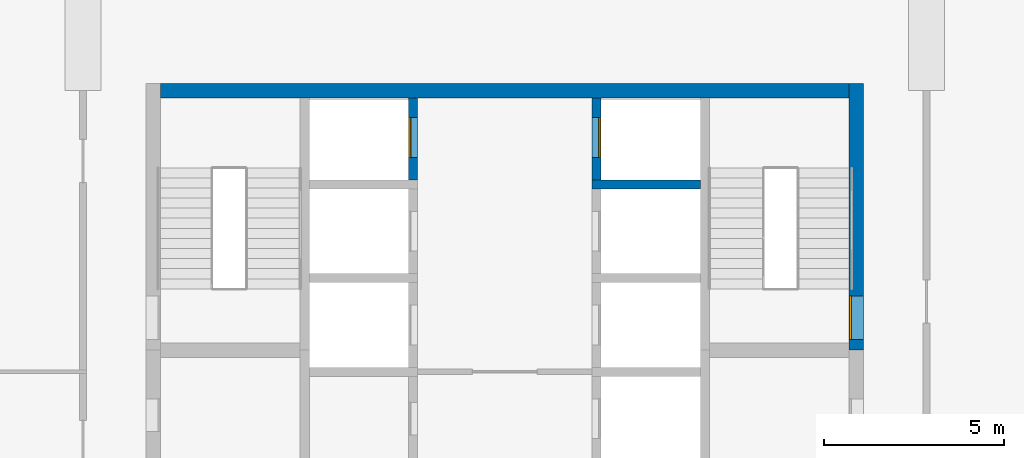
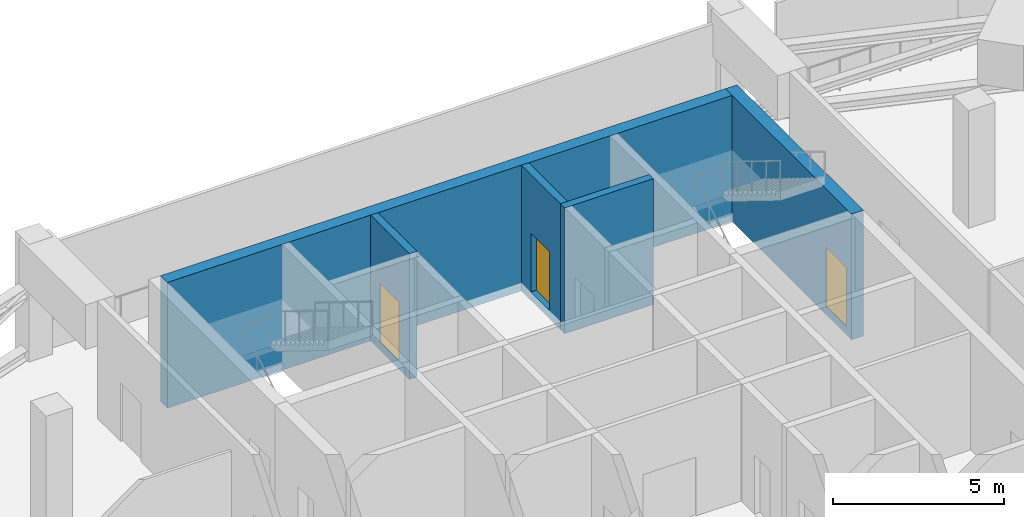
# One storey, part 8 of 13: 5 walls, 3 doors, 3 openings.
"""IFC4 building model written with IfcOpenShell, lengths in metres."""

from ifc_helpers import new_model, si_unit, direction, frame, frame_2d, origin, place, context, subcontext, project, spatial, rectangle, extrude, material, layer, layer_set, type_object, element, fill, save


model = new_model("IFC4")

# Units and contexts
model_context = context("Model", 3, precision=1e-05, world=origin(), true_north=direction((0.0, 1.0)))
body_context = subcontext(model_context, "Body", "Model", "MODEL_VIEW")
ifc_project = project(units=[si_unit("LENGTHUNIT", "METRE"), si_unit("AREAUNIT", "SQUARE_METRE"), si_unit("VOLUMEUNIT", "CUBIC_METRE"), si_unit("PLANEANGLEUNIT", "RADIAN"), si_unit("MASSUNIT", "GRAM", prefix="KILO")], contexts=[model_context])

# Site, building, storey
site_placement = place(None, origin())
site = spatial("IfcSite", under=ifc_project, at=site_placement, CompositionType="ELEMENT")
building_placement = place(site_placement, origin())
building = spatial("IfcBuilding", under=site, at=building_placement, Name="Ludao Terraces", CompositionType="ELEMENT")
storey_placement = place(building_placement, frame((0.0, 0.0, 241.5)))
storey = spatial("IfcBuildingStorey", under=building, at=storey_placement, Name="L66", CompositionType="ELEMENT", Elevation=241.5)

# Wall, opening, door
ifc_material_1 = material(Name="Concrete C50", Category="concrete")
ifc_layer_1 = layer(ifc_material_1, 0.39990234375)
ifc_layer_set_1 = layer_set([ifc_layer_1], Name="Core wall 400 C50")
wall_type_1 = type_object("IfcWallType", Name="Core wall 400 C50", PredefinedType="SOLIDWALL", material=ifc_layer_set_1)
wall_1_placement = place(storey_placement, frame((94.75, 77.300048828125, -0.300048828125), z_axis=(0.0, 0.0, 1.0), x_axis=(0.0, 1.0, 0.0)))
wall_1 = element("IfcWall", 1, at=wall_1_placement, inside=storey, type_object=wall_type_1, Name="Core wall L66 outer-E-S2", PredefinedType="SOLIDWALL", context=body_context, shape_type="SweptSolid", body=[
    extrude(rectangle(XDim=7.39990234375, YDim=0.39990234375, at=frame_2d((3.699951171875, 0.0))), origin(), (0.0, 0.0, 1.0), 4.5),
])
opening_1_placement = place(wall_1_placement, frame((0.300048828125, 0.0, 0.300048828125)))
opening_1 = element("IfcOpeningElement", 2, at=opening_1_placement, cuts=wall_1, Name="Opening L66-038", PredefinedType="OPENING", context=body_context, shape_type="SweptSolid", body=[
    extrude(rectangle(XDim=1.199951171875, YDim=2.10009765625, at=frame_2d((0.60009765625, 1.050048828125))), frame((0.0, 0.2099609375, 0.0), z_axis=(0.0, -1.0, 0.0), x_axis=(1.0, 0.0, 0.0)), (0.0, 0.0, 1.0), 0.419921875),
])
ifc_material_2 = material(Name="Steel Q235", Category="steel")
door_type_1 = type_object("IfcDoorType", Name="INT Stair door 1200", OperationType="DOUBLE_DOOR_SINGLE_SWING", PredefinedType="DOOR", material=ifc_material_2)
door_1_placement = place(opening_1_placement, origin())
door_1 = element("IfcDoor", 3, at=door_1_placement, inside=storey, type_object=door_type_1, Name="DOOR 038", OperationType="DOUBLE_DOOR_SINGLE_SWING", OverallHeight=2.10009765625, OverallWidth=1.199951171875, PredefinedType="DOOR", context=body_context, shape_type="SweptSolid", body=[
    extrude(rectangle(XDim=1.199951171875, YDim=2.10009765625, at=frame_2d((0.60009765625, 1.050048828125))), frame((0.0, 0.18505859375, 0.0), z_axis=(0.0, -1.0, 0.0), x_axis=(1.0, 0.0, 0.0)), (0.0, 0.0, 1.0), 0.050048828125),
])
fill(opening_1, door_1)

# Wall
wall_2_placement = place(storey_placement, frame((75.449951171875, 84.5, -0.300048828125), z_axis=(0.0, 0.0, 1.0), x_axis=(1.0, 0.0, 0.0)))
element("IfcWall", 4, at=wall_2_placement, inside=storey, type_object=wall_type_1, Name="Core wall L66 outer-N", PredefinedType="SOLIDWALL", context=body_context, shape_type="SweptSolid", body=[
    extrude(rectangle(XDim=19.10009765625, YDim=0.39990234375, at=frame_2d((9.550048828125, 0.0))), origin(), (0.0, 0.0, 1.0), 4.5),
])

# Wall, opening, door
ifc_layer_2 = layer(ifc_material_1, 0.25)
ifc_layer_set_2 = layer_set([ifc_layer_2], Name="Shaft wall 250 C50")
wall_type_2 = type_object("IfcWallType", Name="Shaft wall 250 C50", PredefinedType="SOLIDWALL", material=ifc_layer_set_2)
wall_3_placement = place(storey_placement, frame((82.449951171875, 82.02490234375, -0.300048828125), z_axis=(0.0, 0.0, 1.0), x_axis=(0.0, 1.0, 0.0)))
wall_3 = element("IfcWall", 5, at=wall_3_placement, inside=storey, type_object=wall_type_2, Name="Core wall L66 front-W9", PredefinedType="SOLIDWALL", context=body_context, shape_type="SweptSolid", body=[
    extrude(rectangle(XDim=2.275146484375, YDim=0.25, at=frame_2d((1.1376953125, 0.0))), origin(), (0.0, 0.0, 1.0), 4.5),
])
opening_2_placement = place(wall_3_placement, frame((0.625, 0.0, 0.300048828125)))
opening_2 = element("IfcOpeningElement", 6, at=opening_2_placement, cuts=wall_3, Name="Opening LD-LB6", PredefinedType="OPENING", context=body_context, shape_type="SweptSolid", body=[
    extrude(rectangle(XDim=1.10009765625, YDim=2.10009765625, at=frame_2d((0.550048828125, 1.050048828125))), frame((0.0, 0.135009765625, 0.0), z_axis=(0.0, -1.0, 0.0), x_axis=(1.0, 0.0, 0.0)), (0.0, 0.0, 1.0), 0.27001953125),
])
ifc_material_3 = material(Name="Stainless steel 304", Category="steel")
door_type_2 = type_object("IfcDoorType", Name="INT Lift landing door 1100", OperationType="SLIDING_TO_LEFT", PredefinedType="DOOR", material=ifc_material_3)
door_2_placement = place(opening_2_placement, origin())
door_2 = element("IfcDoor", 7, at=door_2_placement, inside=storey, type_object=door_type_2, Name="LANDING DOOR LB6 L66", OperationType="SLIDING_TO_RIGHT", OverallHeight=2.10009765625, OverallWidth=1.10009765625, PredefinedType="DOOR", context=body_context, shape_type="SweptSolid", body=[
    extrude(rectangle(XDim=1.10009765625, YDim=2.10009765625, at=frame_2d((0.550048828125, 1.050048828125))), frame((0.0, 0.10986328125, 0.0), z_axis=(0.0, -1.0, 0.0), x_axis=(1.0, 0.0, 0.0)), (0.0, 0.0, 1.0), 0.050048828125),
])
fill(opening_2, door_2)

# Wall
wall_4_placement = place(storey_placement, frame((87.425048828125, 81.89990234375, -0.300048828125), z_axis=(0.0, 0.0, 1.0), x_axis=(1.0, 0.0, 0.0)))
element("IfcWall", 8, at=wall_4_placement, inside=storey, type_object=wall_type_2, Name="Core wall L66 div-E9", PredefinedType="SOLIDWALL", context=body_context, shape_type="SweptSolid", body=[
    extrude(rectangle(XDim=3.0, YDim=0.25, at=frame_2d((1.5, 0.0))), origin(), (0.0, 0.0, 1.0), 4.5),
])

# Wall, opening, door
wall_5_placement = place(storey_placement, frame((87.550048828125, 82.02490234375, -0.300048828125), z_axis=(0.0, 0.0, 1.0), x_axis=(0.0, 1.0, 0.0)))
wall_5 = element("IfcWall", 9, at=wall_5_placement, inside=storey, type_object=wall_type_2, Name="Core wall L66 front-E9", PredefinedType="SOLIDWALL", context=body_context, shape_type="SweptSolid", body=[
    extrude(rectangle(XDim=2.275146484375, YDim=0.25, at=frame_2d((1.1376953125, 0.0))), origin(), (0.0, 0.0, 1.0), 4.5),
])
opening_3_placement = place(wall_5_placement, frame((0.625, 0.0, 0.300048828125)))
opening_3 = element("IfcOpeningElement", 10, at=opening_3_placement, cuts=wall_5, Name="Opening LD-LB5", PredefinedType="OPENING", context=body_context, shape_type="SweptSolid", body=[
    extrude(rectangle(XDim=1.10009765625, YDim=2.10009765625, at=frame_2d((0.550048828125, 1.050048828125))), frame((0.0, 0.135009765625, 0.0), z_axis=(0.0, -1.0, 0.0), x_axis=(1.0, 0.0, 0.0)), (0.0, 0.0, 1.0), 0.27001953125),
])
door_3_placement = place(opening_3_placement, origin())
door_3 = element("IfcDoor", 11, at=door_3_placement, inside=storey, type_object=door_type_2, Name="LANDING DOOR LB5 L66", OperationType="SLIDING_TO_RIGHT", OverallHeight=2.10009765625, OverallWidth=1.10009765625, PredefinedType="DOOR", context=body_context, shape_type="SweptSolid", body=[
    extrude(rectangle(XDim=1.10009765625, YDim=2.10009765625, at=frame_2d((0.550048828125, 1.050048828125))), frame((0.0, -0.06005859375, 0.0), z_axis=(0.0, -1.0, 0.0), x_axis=(1.0, 0.0, 0.0)), (0.0, 0.0, 1.0), 0.050048828125),
])
fill(opening_3, door_3)

save(model, "model.ifc")
